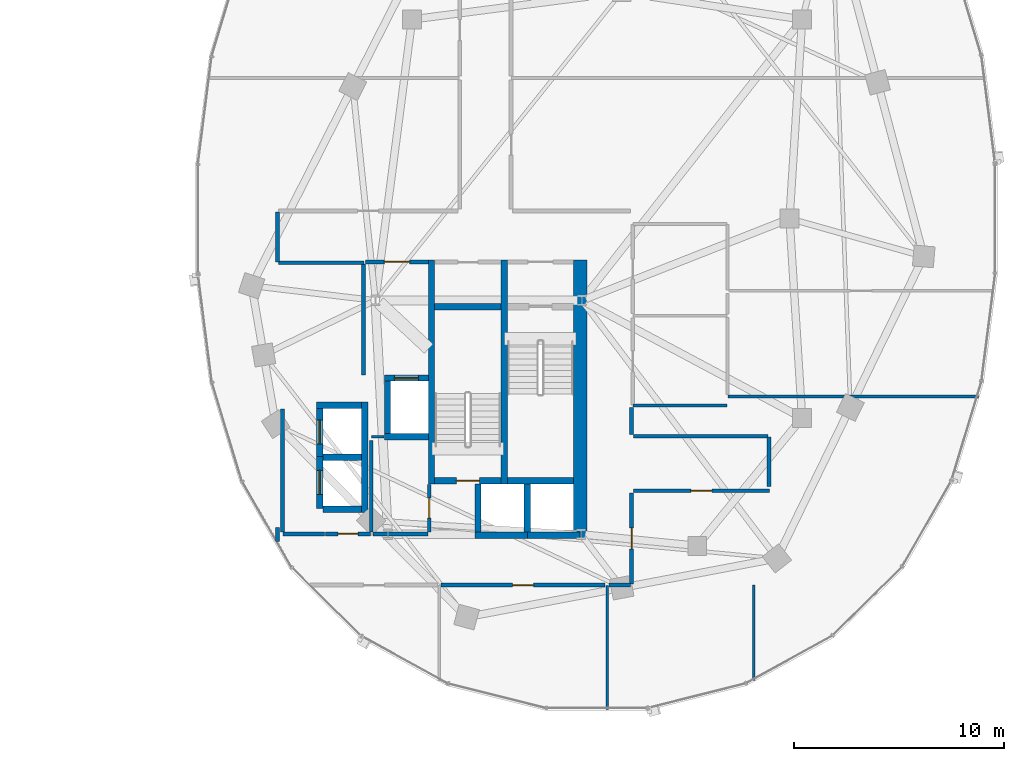
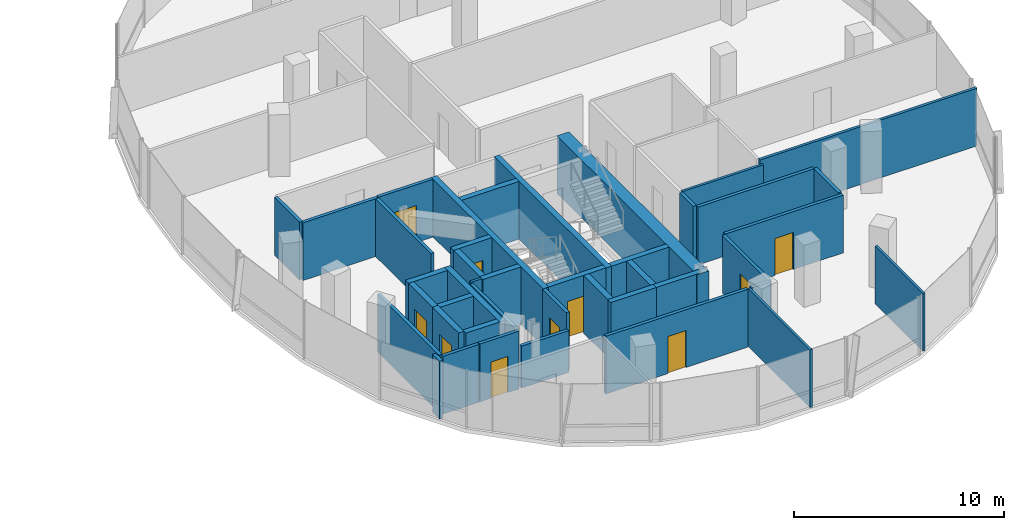
# One storey, part 14 of 23: 42 walls, 10 doors, 10 openings.
"""IFC4 building model written with IfcOpenShell, lengths in metres."""

from ifc_helpers import new_model, si_unit, direction, frame, frame_2d, origin, place, context, subcontext, project, spatial, rectangle, extrude, material, layer, layer_set, type_object, element, fill, save


model = new_model("IFC4")

# Units and contexts
model_context = context("Model", 3, precision=1e-05, world=origin(), true_north=direction((0.0, 1.0)))
body_context = subcontext(model_context, "Body", "Model", "MODEL_VIEW")
ifc_project = project(units=[si_unit("LENGTHUNIT", "METRE"), si_unit("AREAUNIT", "SQUARE_METRE"), si_unit("VOLUMEUNIT", "CUBIC_METRE"), si_unit("PLANEANGLEUNIT", "RADIAN"), si_unit("MASSUNIT", "GRAM", prefix="KILO"), si_unit("THERMODYNAMICTEMPERATUREUNIT", "KELVIN"), si_unit("POWERUNIT", "WATT")], contexts=[model_context])

# Site, building, storey
site_placement = place(None, origin())
site = spatial("IfcSite", under=ifc_project, at=site_placement, CompositionType="ELEMENT")
building_placement = place(site_placement, origin())
building = spatial("IfcBuilding", under=site, at=building_placement, Name="Cundina Bronze Exchange", CompositionType="ELEMENT")
storey_placement = place(building_placement, frame((0.0, 0.0, 169.199951171875)))
storey = spatial("IfcBuildingStorey", under=building, at=storey_placement, Name="L44", CompositionType="ELEMENT", Elevation=169.199951171875)

# Wall
ifc_material_1 = material(Name="Gypsum Fireboard Partition EI120")
ifc_layer_1 = layer(ifc_material_1, 0.179931640625, Name="Gypsum Fireboard Partition EI120")
ifc_layer_set_1 = layer_set([ifc_layer_1], Name="Gypsum Fireboard Partition EI120")
wall_type_1 = type_object("IfcWallType", Name="WL-COR-180", PredefinedType="PARTITIONING", material=ifc_layer_set_1)
wall_1_placement = place(storey_placement, frame((20.889892578125, -7.449951171875, 0.0), z_axis=(0.0, 0.0, 1.0), x_axis=(0.0, 1.0, 0.0)))
element("IfcWall", 1, at=wall_1_placement, inside=storey, type_object=wall_type_1, Name="L44 E Firefighting Lobby Side Wall", PredefinedType="PARTITIONING", context=body_context, shape_type="SweptSolid", body=[
    extrude(rectangle(XDim=5.300048828125, YDim=0.179931640625, at=frame_2d((2.64990234375, 0.0))), origin(), (0.0, 0.0, 1.0), 3.360107421875),
])

# Wall, opening, door
wall_2_placement = place(storey_placement, frame((20.97998046875, -2.06005859375, 0.0), z_axis=(0.0, 0.0, 1.0), x_axis=(1.0, 0.0, 0.0)))
wall_2 = element("IfcWall", 2, at=wall_2_placement, inside=storey, type_object=wall_type_1, Name="L44 E Firefighting Lobby Exit Wall", PredefinedType="PARTITIONING", context=body_context, shape_type="SweptSolid", body=[
    extrude(rectangle(XDim=3.0, YDim=0.179931640625, at=frame_2d((1.5, 0.0))), origin(), (0.0, 0.0, 1.0), 3.360107421875),
])
opening_1_placement = place(wall_2_placement, frame((0.89990234375, 0.0, 0.0)))
opening_1 = element("IfcOpeningElement", 3, at=opening_1_placement, cuts=wall_2, Name="Opening DF-01", PredefinedType="OPENING", context=body_context, shape_type="SweptSolid", body=[
    extrude(rectangle(XDim=1.199951171875, YDim=2.14990234375, at=frame_2d((0.60009765625, 1.074951171875))), frame((0.0, 0.099853515625, 0.0), z_axis=(0.0, -1.0, 0.0), x_axis=(1.0, 0.0, 0.0)), (0.0, 0.0, 1.0), 0.199951171875),
])
ifc_material_2 = material(Name="Steel ASTM A36 Painted", Category="steel")
door_type_1 = type_object("IfcDoorType", Name="DR-FFL-1200", OperationType="NOTDEFINED", PredefinedType="DOOR", material=ifc_material_2)
door_1_placement = place(opening_1_placement, origin())
door_1 = element("IfcDoor", 4, at=door_1_placement, inside=storey, type_object=door_type_1, Name="L44 E Firefighting Lobby Door", OperationType="SINGLE_SWING_LEFT", OverallHeight=2.14990234375, OverallWidth=1.199951171875, PredefinedType="DOOR", context=body_context, shape_type="SweptSolid", body=[
    extrude(rectangle(XDim=1.199951171875, YDim=2.14990234375, at=frame_2d((0.60009765625, 1.074951171875))), frame((0.0, 0.02490234375, 0.0), z_axis=(0.0, -1.0, 0.0), x_axis=(1.0, 0.0, 0.0)), (0.0, 0.0, 1.0), 0.050048828125),
])
fill(opening_1, door_1)

# Walls
wall_3_placement = place(storey_placement, frame((17.02001953125, -14.929931640625, 0.0), z_axis=(0.0, 0.0, 1.0), x_axis=(0.0, 1.0, 0.0)))
element("IfcWall", 5, at=wall_3_placement, inside=storey, type_object=wall_type_1, Name="L44 Interior Partition 045", PredefinedType="PARTITIONING", context=body_context, shape_type="SweptSolid", body=[
    extrude(rectangle(XDim=5.85986328125, YDim=0.179931640625, at=frame_2d((2.929931640625, 0.0))), origin(), (0.0, 0.0, 1.0), 3.360107421875),
])
wall_4_placement = place(storey_placement, frame((17.0400390625, -15.030029296875, 0.0), z_axis=(0.0, 0.0, 1.0), x_axis=(1.0, 0.0, 0.0)))
element("IfcWall", 6, at=wall_4_placement, inside=storey, type_object=wall_type_1, Name="L44 Interior Partition 046", PredefinedType="PARTITIONING", context=body_context, shape_type="SweptSolid", body=[
    extrude(rectangle(XDim=1.989990234375, YDim=0.179931640625, at=frame_2d((0.9951171875, 0.0))), origin(), (0.0, 0.0, 1.0), 3.360107421875),
])

# Wall, opening, door
wall_5_placement = place(storey_placement, frame((21.22998046875, -15.030029296875, 0.0), z_axis=(0.0, 0.0, 1.0), x_axis=(-1.0, 0.0, 0.0)))
wall_5 = element("IfcWall", 7, at=wall_5_placement, inside=storey, type_object=wall_type_1, Name="L44 Interior Partition 047", PredefinedType="PARTITIONING", context=body_context, shape_type="SweptSolid", body=[
    extrude(rectangle(XDim=2.159912109375, YDim=0.179931640625, at=frame_2d((1.080078125, 0.0))), origin(), (0.0, 0.0, 1.0), 3.360107421875),
])
opening_2_placement = place(wall_5_placement, frame((0.60498046875, 0.0, 0.0)))
opening_2 = element("IfcOpeningElement", 8, at=opening_2_placement, cuts=wall_5, Name="Opening DW-01", PredefinedType="OPENING", context=body_context, shape_type="SweptSolid", body=[
    extrude(rectangle(XDim=0.949951171875, YDim=2.10009765625, at=frame_2d((0.47509765625, 1.050048828125))), frame((0.0, 0.099853515625, 0.0), z_axis=(0.0, -1.0, 0.0), x_axis=(1.0, 0.0, 0.0)), (0.0, 0.0, 1.0), 0.199951171875),
])
ifc_material_3 = material(Name="Solid Andean Oak Timber Grade A", Category="wood")
door_type_2 = type_object("IfcDoorType", Name="DR-WC-950", OperationType="NOTDEFINED", PredefinedType="DOOR", material=ifc_material_3)
door_2_placement = place(opening_2_placement, origin())
door_2 = element("IfcDoor", 9, at=door_2_placement, inside=storey, type_object=door_type_2, Name="L44 Interior Door 047", OperationType="SINGLE_SWING_RIGHT", OverallHeight=2.10009765625, OverallWidth=0.949951171875, PredefinedType="DOOR", context=body_context, shape_type="SweptSolid", body=[
    extrude(rectangle(XDim=0.949951171875, YDim=2.10009765625, at=frame_2d((0.47509765625, 1.050048828125))), frame((0.0, 0.02490234375, 0.0), z_axis=(0.0, -1.0, 0.0), x_axis=(1.0, 0.0, 0.0)), (0.0, 0.0, 1.0), 0.050048828125),
])
fill(opening_2, door_2)

# Walls
wall_6_placement = place(storey_placement, frame((21.25, -14.929931640625, 0.0), z_axis=(0.0, 0.0, 1.0), x_axis=(0.0, 1.0, 0.0)))
element("IfcWall", 10, at=wall_6_placement, inside=storey, type_object=wall_type_1, Name="L44 Interior Partition 049", PredefinedType="PARTITIONING", context=body_context, shape_type="SweptSolid", body=[
    extrude(rectangle(XDim=4.35986328125, YDim=0.179931640625, at=frame_2d((2.179931640625, 0.0))), origin(), (0.0, 0.0, 1.0), 3.360107421875),
])
wall_7_placement = place(storey_placement, frame((21.35009765625, -15.030029296875, 0.0), z_axis=(0.0, 0.0, 1.0), x_axis=(1.0, 0.0, 0.0)))
element("IfcWall", 11, at=wall_7_placement, inside=storey, type_object=wall_type_1, Name="L44 Interior Partition 050", PredefinedType="PARTITIONING", context=body_context, shape_type="SweptSolid", body=[
    extrude(rectangle(XDim=2.60986328125, YDim=0.179931640625, at=frame_2d((1.304931640625, 0.0))), origin(), (0.0, 0.0, 1.0), 2.43310546875),
])

# Wall, opening, door
wall_8_placement = place(storey_placement, frame((24.02001953125, -14.929931640625, 0.0), z_axis=(0.0, 0.0, 1.0), x_axis=(0.0, 1.0, 0.0)))
wall_8 = element("IfcWall", 12, at=wall_8_placement, inside=storey, type_object=wall_type_1, Name="L44 Interior Partition 052", PredefinedType="PARTITIONING", context=body_context, shape_type="SweptSolid", body=[
    extrude(rectangle(XDim=2.260009765625, YDim=0.179931640625, at=frame_2d((1.1298828125, 0.0))), origin(), (0.0, 0.0, 1.0), 3.360107421875),
])
opening_3_placement = place(wall_8_placement, frame((0.655029296875, 0.0, 0.0)))
opening_3 = element("IfcOpeningElement", 13, at=opening_3_placement, cuts=wall_8, Name="Opening DW-01", PredefinedType="OPENING", context=body_context, shape_type="SweptSolid", body=[
    extrude(rectangle(XDim=0.949951171875, YDim=2.10009765625, at=frame_2d((0.47509765625, 1.050048828125))), frame((0.0, 0.099853515625, 0.0), z_axis=(0.0, -1.0, 0.0), x_axis=(1.0, 0.0, 0.0)), (0.0, 0.0, 1.0), 0.199951171875),
])
door_3_placement = place(opening_3_placement, origin())
door_3 = element("IfcDoor", 14, at=door_3_placement, inside=storey, type_object=door_type_2, Name="L44 Interior Door 052", OperationType="SINGLE_SWING_RIGHT", OverallHeight=2.10009765625, OverallWidth=0.949951171875, PredefinedType="DOOR", context=body_context, shape_type="SweptSolid", body=[
    extrude(rectangle(XDim=0.949951171875, YDim=2.10009765625, at=frame_2d((0.47509765625, 1.050048828125))), frame((0.0, 0.02490234375, 0.0), z_axis=(0.0, -1.0, 0.0), x_axis=(1.0, 0.0, 0.0)), (0.0, 0.0, 1.0), 0.050048828125),
])
fill(opening_3, door_3)

wall_9_placement = place(storey_placement, frame((24.590087890625, -17.469970703125, 0.0), z_axis=(0.0, 0.0, 1.0), x_axis=(1.0, 0.0, 0.0)))
wall_9 = element("IfcWall", 15, at=wall_9_placement, inside=storey, type_object=wall_type_1, Name="L44 Interior Partition 067", PredefinedType="PARTITIONING", context=body_context, shape_type="SweptSolid", body=[
    extrude(rectangle(XDim=7.81982421875, YDim=0.179931640625, at=frame_2d((3.909912109375, 0.0))), origin(), (0.0, 0.0, 1.0), 3.360107421875),
])
opening_4_placement = place(wall_9_placement, frame((3.409912109375, 0.0, 0.0)))
opening_4 = element("IfcOpeningElement", 16, at=opening_4_placement, cuts=wall_9, Name="Opening DO-01", PredefinedType="OPENING", context=body_context, shape_type="SweptSolid", body=[
    extrude(rectangle(XDim=1.0, YDim=2.14990234375, at=frame_2d((0.5, 1.074951171875))), frame((0.0, 0.099853515625, 0.0), z_axis=(0.0, -1.0, 0.0), x_axis=(1.0, 0.0, 0.0)), (0.0, 0.0, 1.0), 0.199951171875),
])
door_type_3 = type_object("IfcDoorType", Name="DR-OFF-1000", OperationType="NOTDEFINED", PredefinedType="DOOR", material=ifc_material_3)
door_4_placement = place(opening_4_placement, origin())
door_4 = element("IfcDoor", 17, at=door_4_placement, inside=storey, type_object=door_type_3, Name="L44 Interior Door 067", OperationType="SINGLE_SWING_LEFT", OverallHeight=2.14990234375, OverallWidth=1.0, PredefinedType="DOOR", context=body_context, shape_type="SweptSolid", body=[
    extrude(rectangle(XDim=1.0, YDim=2.14990234375, at=frame_2d((0.5, 1.074951171875))), frame((0.0, 0.02490234375, 0.0), z_axis=(0.0, -1.0, 0.0), x_axis=(1.0, 0.0, 0.0)), (0.0, 0.0, 1.0), 0.050048828125),
])
fill(opening_4, door_4)

wall_10_placement = place(storey_placement, frame((33.669921875, -17.428466796875, 0.0), z_axis=(0.0, 0.0, 1.0), x_axis=(0.0, 1.0, 0.0)))
wall_10 = element("IfcWall", 18, at=wall_10_placement, inside=storey, type_object=wall_type_1, Name="L44 Interior Partition 069", PredefinedType="PARTITIONING", context=body_context, shape_type="SweptSolid", body=[
    extrude(rectangle(XDim=4.3583984375, YDim=0.179931640625, at=frame_2d((2.17919921875, 0.0))), origin(), (0.0, 0.0, 1.0), 3.360107421875),
])
opening_5_placement = place(wall_10_placement, frame((1.67919921875, 0.0, 0.0)))
opening_5 = element("IfcOpeningElement", 19, at=opening_5_placement, cuts=wall_10, Name="Opening DO-01", PredefinedType="OPENING", context=body_context, shape_type="SweptSolid", body=[
    extrude(rectangle(XDim=1.0, YDim=2.14990234375, at=frame_2d((0.5, 1.074951171875))), frame((0.0, 0.099853515625, 0.0), z_axis=(0.0, -1.0, 0.0), x_axis=(1.0, 0.0, 0.0)), (0.0, 0.0, 1.0), 0.199951171875),
])
door_5_placement = place(opening_5_placement, origin())
door_5 = element("IfcDoor", 20, at=door_5_placement, inside=storey, type_object=door_type_3, Name="L44 Interior Door 069", OperationType="SINGLE_SWING_RIGHT", OverallHeight=2.14990234375, OverallWidth=1.0, PredefinedType="DOOR", context=body_context, shape_type="SweptSolid", body=[
    extrude(rectangle(XDim=1.0, YDim=2.14990234375, at=frame_2d((0.5, 1.074951171875))), frame((0.0, 0.02490234375, 0.0), z_axis=(0.0, -1.0, 0.0), x_axis=(1.0, 0.0, 0.0)), (0.0, 0.0, 1.0), 0.050048828125),
])
fill(opening_5, door_5)

# Wall
wall_11_placement = place(storey_placement, frame((32.590087890625, -17.469970703125, 0.0), z_axis=(0.0, 0.0, 1.0), x_axis=(1.0, 0.0, 0.0)))
element("IfcWall", 21, at=wall_11_placement, inside=storey, type_object=wall_type_1, Name="L44 Interior Partition 070", PredefinedType="PARTITIONING", context=body_context, shape_type="SweptSolid", body=[
    extrude(rectangle(XDim=1.038330078125, YDim=0.179931640625, at=frame_2d((0.51904296875, 0.0))), origin(), (0.0, 0.0, 1.0), 3.360107421875),
])

# Wall, opening, door
wall_12_placement = place(storey_placement, frame((40.238525390625, -12.969970703125, 0.0), z_axis=(0.0, 0.0, 1.0), x_axis=(-1.0, 0.0, 0.0)))
wall_12 = element("IfcWall", 22, at=wall_12_placement, inside=storey, type_object=wall_type_1, Name="L44 Interior Partition 071", PredefinedType="PARTITIONING", context=body_context, shape_type="SweptSolid", body=[
    extrude(rectangle(XDim=6.488525390625, YDim=0.179931640625, at=frame_2d((3.244140625, 0.0))), origin(), (0.0, 0.0, 1.0), 3.360107421875),
])
opening_6_placement = place(wall_12_placement, frame((2.744384765625, 0.0, 0.0)))
opening_6 = element("IfcOpeningElement", 23, at=opening_6_placement, cuts=wall_12, Name="Opening DO-01", PredefinedType="OPENING", context=body_context, shape_type="SweptSolid", body=[
    extrude(rectangle(XDim=1.0, YDim=2.14990234375, at=frame_2d((0.5, 1.074951171875))), frame((0.0, 0.099853515625, 0.0), z_axis=(0.0, -1.0, 0.0), x_axis=(1.0, 0.0, 0.0)), (0.0, 0.0, 1.0), 0.199951171875),
])
door_6_placement = place(opening_6_placement, origin())
door_6 = element("IfcDoor", 24, at=door_6_placement, inside=storey, type_object=door_type_3, Name="L44 Interior Door 071", OperationType="SINGLE_SWING_LEFT", OverallHeight=2.14990234375, OverallWidth=1.0, PredefinedType="DOOR", context=body_context, shape_type="SweptSolid", body=[
    extrude(rectangle(XDim=1.0, YDim=2.14990234375, at=frame_2d((0.5, 1.074951171875))), frame((0.0, 0.02490234375, 0.0), z_axis=(0.0, -1.0, 0.0), x_axis=(1.0, 0.0, 0.0)), (0.0, 0.0, 1.0), 0.050048828125),
])
fill(opening_6, door_6)

# Walls
wall_13_placement = place(storey_placement, frame((40.178466796875, -10.3798828125, 0.0), z_axis=(0.0, 0.0, 1.0), x_axis=(-1.0, 0.0, 0.0)))
element("IfcWall", 25, at=wall_13_placement, inside=storey, type_object=wall_type_1, Name="L44 Interior Partition 072", PredefinedType="PARTITIONING", context=body_context, shape_type="SweptSolid", body=[
    extrude(rectangle(XDim=6.428466796875, YDim=0.179931640625, at=frame_2d((3.21435546875, 0.0))), origin(), (0.0, 0.0, 1.0), 3.360107421875),
])
wall_14_placement = place(storey_placement, frame((40.219970703125, -12.778564453125, 0.0), z_axis=(0.0, 0.0, 1.0), x_axis=(0.0, 1.0, 0.0)))
element("IfcWall", 26, at=wall_14_placement, inside=storey, type_object=wall_type_1, Name="L44 Interior Partition 073", PredefinedType="PARTITIONING", context=body_context, shape_type="SweptSolid", body=[
    extrude(rectangle(XDim=2.357177734375, YDim=0.179931640625, at=frame_2d((1.1787109375, 0.0))), origin(), (0.0, 0.0, 1.0), 3.360107421875),
])
wall_15_placement = place(storey_placement, frame((33.669921875, -10.300048828125, 0.0), z_axis=(0.0, 0.0, 1.0), x_axis=(0.0, 1.0, 0.0)))
element("IfcWall", 27, at=wall_15_placement, inside=storey, type_object=wall_type_1, Name="L44 Interior Partition 074", PredefinedType="PARTITIONING", context=body_context, shape_type="SweptSolid", body=[
    extrude(rectangle(XDim=1.298583984375, YDim=0.179931640625, at=frame_2d((0.6494140625, 0.0))), origin(), (0.0, 0.0, 1.0), 3.360107421875),
])
wall_16_placement = place(storey_placement, frame((16.821533203125, -2.10009765625, 0.0), z_axis=(0.0, 0.0, 1.0), x_axis=(1.0, 0.0, 0.0)))
element("IfcWall", 28, at=wall_16_placement, inside=storey, type_object=wall_type_1, Name="L44 Interior Partition 077", PredefinedType="PARTITIONING", context=body_context, shape_type="SweptSolid", body=[
    extrude(rectangle(XDim=4.098388671875, YDim=0.179931640625, at=frame_2d((2.04931640625, 0.0))), origin(), (0.0, 0.0, 1.0), 3.360107421875),
])
wall_17_placement = place(storey_placement, frame((16.780029296875, 0.32861328125, 0.0), z_axis=(0.0, 0.0, 1.0), x_axis=(0.0, -1.0, 0.0)))
element("IfcWall", 29, at=wall_17_placement, inside=storey, type_object=wall_type_1, Name="L44 Interior Partition 078", PredefinedType="PARTITIONING", context=body_context, shape_type="SweptSolid", body=[
    extrude(rectangle(XDim=2.38720703125, YDim=0.179931640625, at=frame_2d((1.193603515625, 0.0))), origin(), (0.0, 0.0, 1.0), 3.360107421875),
])
wall_18_placement = place(storey_placement, frame((16.780029296875, -14.721435546875, 0.0), z_axis=(0.0, 0.0, 1.0), x_axis=(0.0, -1.0, 0.0)))
element("IfcWall", 30, at=wall_18_placement, inside=storey, type_object=wall_type_1, Name="L44 Interior Partition 079", PredefinedType="PARTITIONING", context=body_context, shape_type="SweptSolid", body=[
    extrude(rectangle(XDim=0.68359375, YDim=0.179931640625, at=frame_2d((0.341796875, 0.0))), origin(), (0.0, 0.0, 1.0), 3.360107421875),
])
ifc_material_4 = material(Name="Concrete C50/60", Category="concrete")
ifc_layer_2 = layer(ifc_material_4, 0.64990234375, Name="Concrete C50/60", Category="concrete")
ifc_layer_set_2 = layer_set([ifc_layer_2], Name="Concrete C50/60")
wall_type_2 = type_object("IfcWallType", Name="WL-CORE-650", PredefinedType="SHEAR", material=ifc_layer_set_2)
wall_19_placement = place(storey_placement, frame((31.22509765625, -15.300048828125, 0.0), z_axis=(0.0, 0.0, 1.0), x_axis=(0.0, 1.0, 0.0)))
element("IfcWall", 31, at=wall_19_placement, inside=storey, type_object=wall_type_2, Name="L44 E Primary Core Shear Spine Wall", PredefinedType="SHEAR", context=body_context, shape_type="SweptSolid", body=[
    extrude(rectangle(XDim=13.330078125, YDim=0.64990234375, at=frame_2d((6.6650390625, 0.0))), origin(), (0.0, 0.0, 1.0), 3.360107421875),
])
ifc_material_5 = material(Name="Gypsum Acoustic Partition EI60")
ifc_layer_3 = layer(ifc_material_5, 0.125, Name="Gypsum Acoustic Partition EI60")
ifc_layer_set_3 = layer_set([ifc_layer_3], Name="Gypsum Acoustic Partition EI60")
wall_type_3 = type_object("IfcWallType", Name="WL-OFF-125", PredefinedType="PARTITIONING", material=ifc_layer_set_3)
wall_20_placement = place(storey_placement, frame((32.5, -23.402099609375, 0.0), z_axis=(0.0, 0.0, 1.0), x_axis=(0.0, 1.0, 0.0)))
element("IfcWall", 32, at=wall_20_placement, inside=storey, type_object=wall_type_3, Name="L44 Interior Partition 065", PredefinedType="PARTITIONING", context=body_context, shape_type="SweptSolid", body=[
    extrude(rectangle(XDim=5.902099609375, YDim=0.125, at=frame_2d((2.951171875, 0.0))), origin(), (0.0, 0.0, 1.0), 3.360107421875),
])
wall_21_placement = place(storey_placement, frame((39.5, -22.025146484375, 0.0), z_axis=(0.0, 0.0, 1.0), x_axis=(0.0, 1.0, 0.0)))
element("IfcWall", 33, at=wall_21_placement, inside=storey, type_object=wall_type_3, Name="L44 Interior Partition 066", PredefinedType="PARTITIONING", context=body_context, shape_type="SweptSolid", body=[
    extrude(rectangle(XDim=4.55517578125, YDim=0.125, at=frame_2d((2.277587890625, 0.0))), origin(), (0.0, 0.0, 1.0), 3.360107421875),
])
ifc_layer_4 = layer(ifc_material_4, 0.300048828125, Name="Concrete C50/60", Category="concrete")
ifc_layer_set_4 = layer_set([ifc_layer_4], Name="Concrete C50/60")
wall_type_4 = type_object("IfcWallType", Name="WL-SHFT-300", PredefinedType="SHEAR", material=ifc_layer_set_4)
for number, where, z_axis, x_axis, name in (
    (34, (27.590087890625, -12.64990234375, 0.0), (0.0, 0.0, 1.0), (0.0, 1.0, 0.0), "L44 E Stair Shaft Dividing Shear Wall"),
    (35, (24.1298828125, -12.64990234375, 0.0), (0.0, 0.0, 1.0), (0.0, 1.0, 0.0), "L44 E Stair 2 East Shear Wall"),
):
    element("IfcWall", number, at=place(storey_placement, frame(where, z_axis=z_axis, x_axis=x_axis)), inside=storey, type_object=wall_type_4, Name=name, PredefinedType="SHEAR", context=body_context, shape_type="SweptSolid", body=[
        extrude(rectangle(XDim=10.679931640625, YDim=0.300048828125, at=frame_2d((5.33984375, 0.0))), origin(), (0.0, 0.0, 1.0), 3.360107421875),
    ])
wall_22_placement = place(storey_placement, frame((27.739990234375, -12.5, 0.0), z_axis=(0.0, 0.0, 1.0), x_axis=(1.0, 0.0, 0.0)))
element("IfcWall", 36, at=wall_22_placement, inside=storey, type_object=wall_type_4, Name="L44 Stair E1 Far Shaft Wall", PredefinedType="SHEAR", context=body_context, shape_type="SweptSolid", body=[
    extrude(rectangle(XDim=3.159912109375, YDim=0.300048828125, at=frame_2d((1.580078125, 0.0))), origin(), (0.0, 0.0, 1.0), 3.360107421875),
])

# Wall, opening, door
wall_23_placement = place(storey_placement, frame((24.280029296875, -12.5, 0.0), z_axis=(0.0, 0.0, 1.0), x_axis=(1.0, 0.0, 0.0)))
wall_23 = element("IfcWall", 37, at=wall_23_placement, inside=storey, type_object=wall_type_4, Name="L44 Stair E2 Landing Wall", PredefinedType="SHEAR", context=body_context, shape_type="SweptSolid", body=[
    extrude(rectangle(XDim=3.159912109375, YDim=0.300048828125, at=frame_2d((1.580078125, 0.0))), origin(), (0.0, 0.0, 1.0), 3.360107421875),
])
opening_7_placement = place(wall_23_placement, frame((1.030029296875, 0.0, 0.0)))
opening_7 = element("IfcOpeningElement", 38, at=opening_7_placement, cuts=wall_23, Name="Opening DS-01", PredefinedType="OPENING", context=body_context, shape_type="SweptSolid", body=[
    extrude(rectangle(XDim=1.10009765625, YDim=2.14990234375, at=frame_2d((0.550048828125, 1.074951171875))), frame((0.0, 0.159912109375, 0.0), z_axis=(0.0, -1.0, 0.0), x_axis=(1.0, 0.0, 0.0)), (0.0, 0.0, 1.0), 0.320068359375),
])
door_type_4 = type_object("IfcDoorType", Name="DR-STR-1100", OperationType="NOTDEFINED", PredefinedType="DOOR", material=ifc_material_2)
door_7_placement = place(opening_7_placement, origin())
door_7 = element("IfcDoor", 39, at=door_7_placement, inside=storey, type_object=door_type_4, Name="L44 Smokeproof Stair E2 Door", OperationType="SINGLE_SWING_RIGHT", OverallHeight=2.14990234375, OverallWidth=1.10009765625, PredefinedType="DOOR", context=body_context, shape_type="SweptSolid", body=[
    extrude(rectangle(XDim=1.10009765625, YDim=2.14990234375, at=frame_2d((0.550048828125, 1.074951171875))), frame((0.0, 0.02490234375, 0.0), z_axis=(0.0, -1.0, 0.0), x_axis=(1.0, 0.0, 0.0)), (0.0, 0.0, 1.0), 0.050048828125),
])
fill(opening_7, door_7)

# Wall
wall_24_placement = place(storey_placement, frame((24.280029296875, -4.199951171875, 0.0), z_axis=(0.0, 0.0, 1.0), x_axis=(1.0, 0.0, 0.0)))
element("IfcWall", 40, at=wall_24_placement, inside=storey, type_object=wall_type_4, Name="L44 Stair E2 Far Shaft Wall", PredefinedType="SHEAR", context=body_context, shape_type="SweptSolid", body=[
    extrude(rectangle(XDim=3.159912109375, YDim=0.300048828125, at=frame_2d((1.580078125, 0.0))), origin(), (0.0, 0.0, 1.0), 3.360107421875),
])

# Wall, opening, door
wall_25_placement = place(storey_placement, frame((21.8798828125, -7.60009765625, 0.0), z_axis=(0.0, 0.0, 1.0), x_axis=(1.0, 0.0, 0.0)))
wall_25 = element("IfcWall", 41, at=wall_25_placement, inside=storey, type_object=wall_type_4, Name="L44 FFL-E Hoistway Front Wall", PredefinedType="SHEAR", context=body_context, shape_type="SweptSolid", body=[
    extrude(rectangle(XDim=2.10009765625, YDim=0.300048828125, at=frame_2d((1.050048828125, 0.0))), origin(), (0.0, 0.0, 1.0), 3.360107421875),
])
opening_8_placement = place(wall_25_placement, frame((0.47509765625, 0.0, 0.0)))
opening_8 = element("IfcOpeningElement", 42, at=opening_8_placement, cuts=wall_25, Name="Opening LD-01", PredefinedType="OPENING", context=body_context, shape_type="SweptSolid", body=[
    extrude(rectangle(XDim=1.14990234375, YDim=2.199951171875, at=frame_2d((0.574951171875, 1.10009765625))), frame((0.0, 0.159912109375, 0.0), z_axis=(0.0, -1.0, 0.0), x_axis=(1.0, 0.0, 0.0)), (0.0, 0.0, 1.0), 0.320068359375),
])
door_type_5 = type_object("IfcDoorType", Name="DR-LND-1150", OperationType="NOTDEFINED", PredefinedType="TRAPDOOR", material=ifc_material_2)
door_8_placement = place(opening_8_placement, origin())
door_8 = element("IfcDoor", 43, at=door_8_placement, inside=storey, type_object=door_type_5, Name="L44 FFL-E Sliding Landing Door", OperationType="SLIDING_TO_LEFT", OverallHeight=2.199951171875, OverallWidth=1.14990234375, PredefinedType="TRAPDOOR", context=body_context, shape_type="SweptSolid", body=[
    extrude(rectangle(XDim=1.14990234375, YDim=2.199951171875, at=frame_2d((0.574951171875, 1.10009765625))), frame((0.0, 0.02490234375, 0.0), z_axis=(0.0, -1.0, 0.0), x_axis=(1.0, 0.0, 0.0)), (0.0, 0.0, 1.0), 0.050048828125),
])
fill(opening_8, door_8)

# Walls
wall_26_placement = place(storey_placement, frame((21.8798828125, -10.39990234375, 0.0), z_axis=(0.0, 0.0, 1.0), x_axis=(1.0, 0.0, 0.0)))
element("IfcWall", 44, at=wall_26_placement, inside=storey, type_object=wall_type_4, Name="L44 FFL-E Hoistway Back Wall", PredefinedType="SHEAR", context=body_context, shape_type="SweptSolid", body=[
    extrude(rectangle(XDim=2.10009765625, YDim=0.300048828125, at=frame_2d((1.050048828125, 0.0))), origin(), (0.0, 0.0, 1.0), 3.360107421875),
])
for number, where, z_axis, x_axis, name in (
    (45, (22.030029296875, -10.25, 0.0), (0.0, 0.0, 1.0), (0.0, 1.0, 0.0), "L44 FFL-E Hoistway Side Wall"),
    (46, (28.699951171875, -15.10009765625, 0.0), (0.0, 0.0, 1.0), (1.0, 0.0, 0.0), "L44 PH-E1 Hoistway Front Wall"),
):
    element("IfcWall", number, at=place(storey_placement, frame(where, z_axis=z_axis, x_axis=x_axis)), inside=storey, type_object=wall_type_4, Name=name, PredefinedType="SHEAR", context=body_context, shape_type="SweptSolid", body=[
        extrude(rectangle(XDim=2.5, YDim=0.300048828125, at=frame_2d((1.25, 0.0))), origin(), (0.0, 0.0, 1.0), 3.360107421875),
    ])
wall_27_placement = place(storey_placement, frame((28.699951171875, -14.949951171875, 0.0), z_axis=(0.0, 0.0, 1.0), x_axis=(0.0, 1.0, 0.0)))
element("IfcWall", 47, at=wall_27_placement, inside=storey, type_object=wall_type_4, Name="L44 PH-E1 Hoistway Divider Wall", PredefinedType="SHEAR", context=body_context, shape_type="SweptSolid", body=[
    extrude(rectangle(XDim=2.300048828125, YDim=0.300048828125, at=frame_2d((1.14990234375, 0.0))), origin(), (0.0, 0.0, 1.0), 3.360107421875),
])
wall_28_placement = place(storey_placement, frame((26.199951171875, -15.10009765625, 0.0), z_axis=(0.0, 0.0, 1.0), x_axis=(1.0, 0.0, 0.0)))
element("IfcWall", 48, at=wall_28_placement, inside=storey, type_object=wall_type_4, Name="L44 PH-E2 Hoistway Front Wall", PredefinedType="SHEAR", context=body_context, shape_type="SweptSolid", body=[
    extrude(rectangle(XDim=2.5, YDim=0.300048828125, at=frame_2d((1.25, 0.0))), origin(), (0.0, 0.0, 1.0), 3.360107421875),
])
wall_29_placement = place(storey_placement, frame((26.35009765625, -14.949951171875, 0.0), z_axis=(0.0, 0.0, 1.0), x_axis=(0.0, 1.0, 0.0)))
element("IfcWall", 49, at=wall_29_placement, inside=storey, type_object=wall_type_4, Name="L44 PH-E2 Hoistway Divider Wall", PredefinedType="SHEAR", context=body_context, shape_type="SweptSolid", body=[
    extrude(rectangle(XDim=2.300048828125, YDim=0.300048828125, at=frame_2d((1.14990234375, 0.0))), origin(), (0.0, 0.0, 1.0), 3.360107421875),
])
wall_30_placement = place(storey_placement, frame((20.949951171875, -14.0, 0.0), z_axis=(0.0, 0.0, 1.0), x_axis=(0.0, 1.0, 0.0)))
element("IfcWall", 50, at=wall_30_placement, inside=storey, type_object=wall_type_4, Name="L44 E Passenger Bank Hoistway Back Wall", PredefinedType="SHEAR", context=body_context, shape_type="SweptSolid", body=[
    extrude(rectangle(XDim=5.25, YDim=0.300048828125, at=frame_2d((2.625, 0.0))), origin(), (0.0, 0.0, 1.0), 3.360107421875),
])
wall_31_placement = place(storey_placement, frame((18.949951171875, -13.85009765625, 0.0), z_axis=(0.0, 0.0, 1.0), x_axis=(1.0, 0.0, 0.0)))
element("IfcWall", 51, at=wall_31_placement, inside=storey, type_object=wall_type_4, Name="L44 E Passenger Bank South Cap Wall", PredefinedType="SHEAR", context=body_context, shape_type="SweptSolid", body=[
    extrude(rectangle(XDim=1.85009765625, YDim=0.300048828125, at=frame_2d((0.925048828125, 0.0))), origin(), (0.0, 0.0, 1.0), 3.360107421875),
])
wall_32_placement = place(storey_placement, frame((18.64990234375, -8.89990234375, 0.0), z_axis=(0.0, 0.0, 1.0), x_axis=(1.0, 0.0, 0.0)))
element("IfcWall", 52, at=wall_32_placement, inside=storey, type_object=wall_type_4, Name="L44 E Passenger Bank North Cap Wall", PredefinedType="SHEAR", context=body_context, shape_type="SweptSolid", body=[
    extrude(rectangle(XDim=2.150146484375, YDim=0.300048828125, at=frame_2d((1.0751953125, 0.0))), origin(), (0.0, 0.0, 1.0), 3.360107421875),
])
wall_33_placement = place(storey_placement, frame((18.949951171875, -11.375, 0.0), z_axis=(0.0, 0.0, 1.0), x_axis=(1.0, 0.0, 0.0)))
element("IfcWall", 53, at=wall_33_placement, inside=storey, type_object=wall_type_4, Name="L44 E Passenger Hoistway Divider 1", PredefinedType="SHEAR", context=body_context, shape_type="SweptSolid", body=[
    extrude(rectangle(XDim=1.85009765625, YDim=0.300048828125, at=frame_2d((0.925048828125, 0.0))), origin(), (0.0, 0.0, 1.0), 3.360107421875),
])

# Wall, opening, door
wall_34_placement = place(storey_placement, frame((18.800048828125, -13.820068359375, 0.0), z_axis=(0.0, 0.0, 1.0), x_axis=(0.0, 1.0, 0.0)))
wall_34 = element("IfcWall", 54, at=wall_34_placement, inside=storey, type_object=wall_type_4, Name="L44 PM-E1 Hoistway Front Wall", PredefinedType="SHEAR", context=body_context, shape_type="SweptSolid", body=[
    extrude(rectangle(XDim=2.489990234375, YDim=0.300048828125, at=frame_2d((1.2451171875, 0.0))), origin(), (0.0, 0.0, 1.0), 3.360107421875),
])
opening_9_placement = place(wall_34_placement, frame((0.669921875, 0.0, 0.0)))
opening_9 = element("IfcOpeningElement", 55, at=opening_9_placement, cuts=wall_34, Name="Opening LD-01", PredefinedType="OPENING", context=body_context, shape_type="SweptSolid", body=[
    extrude(rectangle(XDim=1.14990234375, YDim=2.199951171875, at=frame_2d((0.574951171875, 1.10009765625))), frame((0.0, 0.159912109375, 0.0), z_axis=(0.0, -1.0, 0.0), x_axis=(1.0, 0.0, 0.0)), (0.0, 0.0, 1.0), 0.320068359375),
])
door_9_placement = place(opening_9_placement, origin())
door_9 = element("IfcDoor", 56, at=door_9_placement, inside=storey, type_object=door_type_5, Name="L44 PM-E1 Sliding Landing Door", OperationType="SLIDING_TO_LEFT", OverallHeight=2.199951171875, OverallWidth=1.14990234375, PredefinedType="TRAPDOOR", context=body_context, shape_type="SweptSolid", body=[
    extrude(rectangle(XDim=1.14990234375, YDim=2.199951171875, at=frame_2d((0.574951171875, 1.10009765625))), frame((0.0, 0.02490234375, 0.0), z_axis=(0.0, -1.0, 0.0), x_axis=(1.0, 0.0, 0.0)), (0.0, 0.0, 1.0), 0.050048828125),
])
fill(opening_9, door_9)

wall_35_placement = place(storey_placement, frame((18.800048828125, -11.419921875, 0.0), z_axis=(0.0, 0.0, 1.0), x_axis=(0.0, 1.0, 0.0)))
wall_35 = element("IfcWall", 57, at=wall_35_placement, inside=storey, type_object=wall_type_4, Name="L44 PM-E2 Hoistway Front Wall", PredefinedType="SHEAR", context=body_context, shape_type="SweptSolid", body=[
    extrude(rectangle(XDim=2.489990234375, YDim=0.300048828125, at=frame_2d((1.2451171875, 0.0))), origin(), (0.0, 0.0, 1.0), 3.360107421875),
])
opening_10_placement = place(wall_35_placement, frame((0.669921875, 0.0, 0.0)))
opening_10 = element("IfcOpeningElement", 58, at=opening_10_placement, cuts=wall_35, Name="Opening LD-01", PredefinedType="OPENING", context=body_context, shape_type="SweptSolid", body=[
    extrude(rectangle(XDim=1.14990234375, YDim=2.199951171875, at=frame_2d((0.574951171875, 1.10009765625))), frame((0.0, 0.159912109375, 0.0), z_axis=(0.0, -1.0, 0.0), x_axis=(1.0, 0.0, 0.0)), (0.0, 0.0, 1.0), 0.320068359375),
])
door_10_placement = place(opening_10_placement, origin())
door_10 = element("IfcDoor", 59, at=door_10_placement, inside=storey, type_object=door_type_5, Name="L44 PM-E2 Sliding Landing Door", OperationType="SLIDING_TO_LEFT", OverallHeight=2.199951171875, OverallWidth=1.14990234375, PredefinedType="TRAPDOOR", context=body_context, shape_type="SweptSolid", body=[
    extrude(rectangle(XDim=1.14990234375, YDim=2.199951171875, at=frame_2d((0.574951171875, 1.10009765625))), frame((0.0, 0.02490234375, 0.0), z_axis=(0.0, -1.0, 0.0), x_axis=(1.0, 0.0, 0.0)), (0.0, 0.0, 1.0), 0.050048828125),
])
fill(opening_10, door_10)

# Walls
ifc_layer_5 = layer(ifc_material_5, 0.14990234375, Name="Gypsum Acoustic Partition EI60")
ifc_layer_set_5 = layer_set([ifc_layer_5], Name="Gypsum Acoustic Partition EI60")
wall_type_5 = type_object("IfcWallType", Name="WL-TEN-150", PredefinedType="PARTITIONING", material=ifc_layer_set_5)
wall_36_placement = place(storey_placement, frame((38.27001953125, -8.47998046875, 0.0), z_axis=(0.0, 0.0, 1.0), x_axis=(1.0, 0.0, 0.0)))
element("IfcWall", 60, at=wall_36_placement, inside=storey, type_object=wall_type_5, Name="L44 Interior Partition 063", PredefinedType="PARTITIONING", context=body_context, shape_type="SweptSolid", body=[
    extrude(rectangle(XDim=11.93603515625, YDim=0.14990234375, at=frame_2d((5.968017578125, 0.0))), origin(), (0.0, 0.0, 1.0), 3.360107421875),
])
ifc_material_6 = material(Name="Moisture-Resistant Masonry Block Grade M15", Category="masonry")
ifc_layer_6 = layer(ifc_material_6, 0.139892578125, Name="Moisture-Resistant Masonry Block Grade M15", Category="masonry")
ifc_layer_set_6 = layer_set([ifc_layer_6], Name="Moisture-Resistant Masonry Block Grade M15")
wall_type_6 = type_object("IfcWallType", Name="WL-WET-140", PredefinedType="PARTITIONING", material=ifc_layer_set_6)
wall_37_placement = place(storey_placement, frame((21.27001953125, -10.39990234375, 0.0), z_axis=(0.0, 0.0, 1.0), x_axis=(1.0, 0.0, 0.0)))
element("IfcWall", 61, at=wall_37_placement, inside=storey, type_object=wall_type_6, Name="L44 Interior Partition 048", PredefinedType="PARTITIONING", context=body_context, shape_type="SweptSolid", body=[
    extrude(rectangle(XDim=0.590087890625, YDim=0.139892578125, at=frame_2d((0.294921875, 0.0))), origin(), (0.0, 0.0, 1.0), 3.360107421875),
])
wall_38_placement = place(storey_placement, frame((33.739990234375, -8.909912109375, 0.0), z_axis=(0.0, 0.0, 1.0), x_axis=(1.0, 0.0, 0.0)))
element("IfcWall", 62, at=wall_38_placement, inside=storey, type_object=wall_type_6, Name="L44 Interior Partition 058", PredefinedType="PARTITIONING", context=body_context, shape_type="SweptSolid", body=[
    extrude(rectangle(XDim=4.47998046875, YDim=0.139892578125, at=frame_2d((2.239990234375, 0.0))), origin(), (0.0, 0.0, 1.0), 3.360107421875),
])

save(model, "model.ifc")
